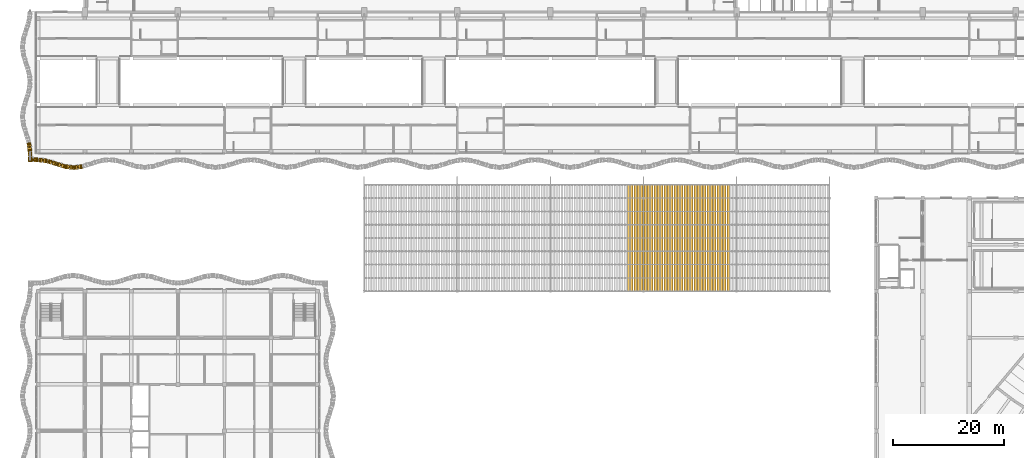
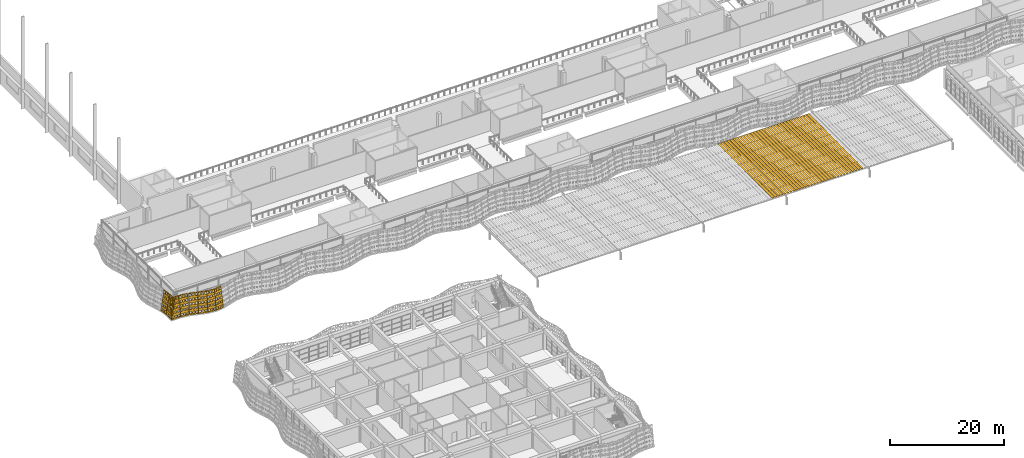
# One storey, part 129 of 162: 31 shading devices, 8 coverings.
"""IFC4 building model written with IfcOpenShell, lengths in metres."""

from ifc_helpers import new_model, si_unit, direction, frame, origin, origin_2d, place, context, subcontext, project, spatial, polyline, rectangle, outline, extrude, material, layer, layer_set, type_object, element, save


model = new_model("IFC4")

# Units and contexts
model_context = context("Model", 3, precision=1e-05, world=origin(), true_north=direction((0.0, 1.0)))
body_context = subcontext(model_context, "Body", "Model", "MODEL_VIEW")
ifc_project = project(units=[si_unit("LENGTHUNIT", "METRE"), si_unit("AREAUNIT", "SQUARE_METRE"), si_unit("VOLUMEUNIT", "CUBIC_METRE"), si_unit("PLANEANGLEUNIT", "RADIAN"), si_unit("MASSUNIT", "GRAM", prefix="KILO")], contexts=[model_context])

# Site, building, storey
site_placement = place(None, origin())
site = spatial("IfcSite", under=ifc_project, at=site_placement, CompositionType="ELEMENT")
building_placement = place(site_placement, origin())
building = spatial("IfcBuilding", under=site, at=building_placement, Name="Rain Tree Exposition and Congress Centre", CompositionType="ELEMENT")
storey_placement = place(building_placement, frame((0.0, 0.0, 6.0)))
storey = spatial("IfcBuildingStorey", under=building, at=storey_placement, Name="L01", CompositionType="ELEMENT", Elevation=6.0)

# Shading devices
ifc_material_1 = material(Name="Terracotta", Category="masonry")
ifc_layer_1 = layer(ifc_material_1, 0.050048828125)
ifc_layer_set_1 = layer_set([ifc_layer_1], Name="Terracotta")
shading_device_type = type_object("IfcShadingDeviceType", Name="Terracotta louvre blade 450x50", PredefinedType="JALOUSIE", material=ifc_layer_set_1)
for number, where, z_axis, x_axis, name in (
    (1, (106.5, 60.0, 2.35009765625), (0.0, 0.0, 1.0), (1.0, 0.0, 0.0), "Canopy louvre 080"),
    (2, (107.10009765625, 60.0, 2.35009765625), (0.0, 0.0, 1.0), (1.0, 0.0, 0.0), "Canopy louvre 081"),
    (3, (107.699951171875, 60.0, 2.35009765625), (0.0, 0.0, 1.0), (1.0, 0.0, 0.0), "Canopy louvre 082"),
    (4, (108.300048828125, 60.0, 2.35009765625), (0.0, 0.0, 1.0), (1.0, 0.0, 0.0), "Canopy louvre 083"),
    (5, (108.89990234375, 60.0, 2.35009765625), (0.0, 0.0, 1.0), (1.0, 0.0, 0.0), "Canopy louvre 084"),
    (6, (109.5, 60.0, 2.35009765625), (0.0, 0.0, 1.0), (1.0, 0.0, 0.0), "Canopy louvre 085"),
    (7, (110.10009765625, 60.0, 2.35009765625), (0.0, 0.0, 1.0), (1.0, 0.0, 0.0), "Canopy louvre 086"),
    (8, (110.699951171875, 60.0, 2.35009765625), (0.0, 0.0, 1.0), (1.0, 0.0, 0.0), "Canopy louvre 087"),
    (9, (111.300048828125, 60.0, 2.35009765625), (0.0, 0.0, 1.0), (1.0, 0.0, 0.0), "Canopy louvre 088"),
    (10, (111.89990234375, 60.0, 2.35009765625), (0.0, 0.0, 1.0), (1.0, 0.0, 0.0), "Canopy louvre 089"),
    (11, (112.5, 60.0, 2.35009765625), (0.0, 0.0, 1.0), (1.0, 0.0, 0.0), "Canopy louvre 090"),
    (12, (113.10009765625, 60.0, 2.35009765625), (0.0, 0.0, 1.0), (1.0, 0.0, 0.0), "Canopy louvre 091"),
    (13, (113.699951171875, 60.0, 2.35009765625), (0.0, 0.0, 1.0), (1.0, 0.0, 0.0), "Canopy louvre 092"),
    (14, (114.300048828125, 60.0, 2.35009765625), (0.0, 0.0, 1.0), (1.0, 0.0, 0.0), "Canopy louvre 093"),
    (15, (114.89990234375, 60.0, 2.35009765625), (0.0, 0.0, 1.0), (1.0, 0.0, 0.0), "Canopy louvre 094"),
    (16, (115.5, 60.0, 2.35009765625), (0.0, 0.0, 1.0), (1.0, 0.0, 0.0), "Canopy louvre 095"),
    (17, (116.10009765625, 60.0, 2.35009765625), (0.0, 0.0, 1.0), (1.0, 0.0, 0.0), "Canopy louvre 096"),
    (18, (116.699951171875, 60.0, 2.35009765625), (0.0, 0.0, 1.0), (1.0, 0.0, 0.0), "Canopy louvre 097"),
    (19, (117.300048828125, 60.0, 2.35009765625), (0.0, 0.0, 1.0), (1.0, 0.0, 0.0), "Canopy louvre 098"),
    (20, (117.89990234375, 60.0, 2.35009765625), (0.0, 0.0, 1.0), (1.0, 0.0, 0.0), "Canopy louvre 099"),
    (21, (118.5, 60.0, 2.35009765625), (0.0, 0.0, 1.0), (1.0, 0.0, 0.0), "Canopy louvre 100"),
    (22, (119.10009765625, 60.0, 2.35009765625), (0.0, 0.0, 1.0), (1.0, 0.0, 0.0), "Canopy louvre 101"),
    (23, (119.699951171875, 60.0, 2.35009765625), (0.0, 0.0, 1.0), (1.0, 0.0, 0.0), "Canopy louvre 102"),
    (24, (120.300048828125, 60.0, 2.35009765625), (0.0, 0.0, 1.0), (1.0, 0.0, 0.0), "Canopy louvre 103"),
    (25, (120.89990234375, 60.0, 2.35009765625), (0.0, 0.0, 1.0), (1.0, 0.0, 0.0), "Canopy louvre 104"),
    (26, (121.5, 60.0, 2.35009765625), (0.0, 0.0, 1.0), (1.0, 0.0, 0.0), "Canopy louvre 105"),
    (27, (122.10009765625, 60.0, 2.35009765625), (0.0, 0.0, 1.0), (1.0, 0.0, 0.0), "Canopy louvre 106"),
    (28, (122.699951171875, 60.0, 2.35009765625), (0.0, 0.0, 1.0), (1.0, 0.0, 0.0), "Canopy louvre 107"),
    (29, (123.300048828125, 60.0, 2.35009765625), (0.0, 0.0, 1.0), (1.0, 0.0, 0.0), "Canopy louvre 108"),
    (30, (123.89990234375, 60.0, 2.35009765625), (0.0, 0.0, 1.0), (1.0, 0.0, 0.0), "Canopy louvre 109"),
    (31, (124.5, 60.0, 2.35009765625), (0.0, 0.0, 1.0), (1.0, 0.0, 0.0), "Canopy louvre 110"),
):
    element("IfcShadingDevice", number, at=place(storey_placement, frame(where, z_axis=z_axis, x_axis=x_axis)), inside=storey, type_object=shading_device_type, Name=name, PredefinedType="JALOUSIE", context=body_context, shape_type="SweptSolid", body=[
        extrude(rectangle(XDim=0.449951171875, YDim=19.199951171875, at=origin_2d()), origin(), (0.0, 0.0, 1.0), 0.050048828125),
    ])

# Coverings
ifc_material_2 = material(Name="Perforated terracotta", Category="masonry")
ifc_layer_2 = layer(ifc_material_2, 0.080078125)
ifc_layer_set_2 = layer_set([ifc_layer_2], Name="Perforated terracotta")
covering_type = type_object("IfcCoveringType", Name="Terracotta screen 80", PredefinedType="CLADDING", material=ifc_layer_set_2)
covering_1_placement = place(storey_placement, frame((0.000244140625, 73.701904296875, 0.01318359375), z_axis=(0.125342414455, 0.978282259159, -0.165085131233), x_axis=(-0.991891686382, 0.127086122318, 0.0)))
element("IfcCovering", 32, at=covering_1_placement, inside=storey, type_object=covering_type, Name="concourse/screen/L01/001", PredefinedType="CLADDING", context=body_context, shape_type="SweptSolid", body=[
    extrude(outline(polyline([(-1.59814453125, 0.0), (-1.59814453125, 4.295166015625), (-0.014892578125, 4.295166015625), (-0.014892578125, 0.0), (-1.59814453125, 0.0)]), holes=[polyline([(-0.115234375, 0.2216796875), (-0.115234375, 0.63720703125), (-0.4423828125, 0.63720703125), (-0.4423828125, 0.2216796875), (-0.115234375, 0.2216796875)]), polyline([(-0.115234375, 1.080810546875), (-0.115234375, 1.496337890625), (-0.4423828125, 1.496337890625), (-0.4423828125, 1.080810546875), (-0.115234375, 1.080810546875)]), polyline([(-0.115234375, 1.939697265625), (-0.115234375, 2.35546875), (-0.4423828125, 2.35546875), (-0.4423828125, 1.939697265625), (-0.115234375, 1.939697265625)]), polyline([(-0.115234375, 2.798583984375), (-0.115234375, 3.21435546875), (-0.4423828125, 3.21435546875), (-0.4423828125, 2.798583984375), (-0.115234375, 2.798583984375)]), polyline([(-0.115234375, 3.65771484375), (-0.115234375, 4.073486328125), (-0.4423828125, 4.073486328125), (-0.4423828125, 3.65771484375), (-0.115234375, 3.65771484375)]), polyline([(-0.64306640625, 0.2216796875), (-0.64306640625, 0.63720703125), (-0.97021484375, 0.63720703125), (-0.97021484375, 0.2216796875), (-0.64306640625, 0.2216796875)]), polyline([(-0.64306640625, 1.080810546875), (-0.64306640625, 1.496337890625), (-0.97021484375, 1.496337890625), (-0.97021484375, 1.080810546875), (-0.64306640625, 1.080810546875)]), polyline([(-0.64306640625, 1.939697265625), (-0.64306640625, 2.35546875), (-0.97021484375, 2.35546875), (-0.97021484375, 1.939697265625), (-0.64306640625, 1.939697265625)]), polyline([(-0.64306640625, 2.798583984375), (-0.64306640625, 3.21435546875), (-0.97021484375, 3.21435546875), (-0.97021484375, 2.798583984375), (-0.64306640625, 2.798583984375)]), polyline([(-0.64306640625, 3.65771484375), (-0.64306640625, 4.073486328125), (-0.97021484375, 4.073486328125), (-0.97021484375, 3.65771484375), (-0.64306640625, 3.65771484375)]), polyline([(-1.170654296875, 0.2216796875), (-1.170654296875, 0.63720703125), (-1.497802734375, 0.63720703125), (-1.497802734375, 0.2216796875), (-1.170654296875, 0.2216796875)]), polyline([(-1.170654296875, 1.080810546875), (-1.170654296875, 1.496337890625), (-1.497802734375, 1.496337890625), (-1.497802734375, 1.080810546875), (-1.170654296875, 1.080810546875)]), polyline([(-1.170654296875, 1.939697265625), (-1.170654296875, 2.35546875), (-1.497802734375, 2.35546875), (-1.497802734375, 1.939697265625), (-1.170654296875, 1.939697265625)]), polyline([(-1.170654296875, 2.798583984375), (-1.170654296875, 3.21435546875), (-1.497802734375, 3.21435546875), (-1.497802734375, 2.798583984375), (-1.170654296875, 2.798583984375)]), polyline([(-1.170654296875, 3.65771484375), (-1.170654296875, 4.073486328125), (-1.497802734375, 4.073486328125), (-1.497802734375, 3.65771484375), (-1.170654296875, 3.65771484375)])]), origin(), (0.0, 0.0, 1.0), 0.079833984375),
])
covering_2_placement = place(storey_placement, frame((1.6005859375, 73.49658203125, 0.0126953125), z_axis=(0.290138898064, 0.943714942124, -0.158812870519), x_axis=(-0.955845867297, 0.293868470528, 0.0)))
element("IfcCovering", 33, at=covering_2_placement, inside=storey, type_object=covering_type, Name="concourse/screen/L01/002", PredefinedType="CLADDING", context=body_context, shape_type="SweptSolid", body=[
    extrude(outline(polyline([(-1.659912109375, 0.0), (-1.659912109375, 4.29150390625), (-0.014892578125, 4.29150390625), (-0.014892578125, 0.0), (-1.659912109375, 0.0)]), holes=[polyline([(-0.119140625, 0.221435546875), (-0.119140625, 0.63671875), (-0.458984375, 0.63671875), (-0.458984375, 0.221435546875), (-0.119140625, 0.221435546875)]), polyline([(-0.119140625, 1.079833984375), (-0.119140625, 1.4951171875), (-0.458984375, 1.4951171875), (-0.458984375, 1.079833984375), (-0.119140625, 1.079833984375)]), polyline([(-0.119140625, 1.93798828125), (-0.119140625, 2.353271484375), (-0.458984375, 2.353271484375), (-0.458984375, 1.93798828125), (-0.119140625, 1.93798828125)]), polyline([(-0.119140625, 2.79638671875), (-0.119140625, 3.211669921875), (-0.458984375, 3.211669921875), (-0.458984375, 2.79638671875), (-0.119140625, 2.79638671875)]), polyline([(-0.119140625, 3.654541015625), (-0.119140625, 4.06982421875), (-0.458984375, 4.06982421875), (-0.458984375, 3.654541015625), (-0.119140625, 3.654541015625)]), polyline([(-0.66748046875, 0.221435546875), (-0.66748046875, 0.63671875), (-1.00732421875, 0.63671875), (-1.00732421875, 0.221435546875), (-0.66748046875, 0.221435546875)]), polyline([(-0.66748046875, 1.079833984375), (-0.66748046875, 1.4951171875), (-1.00732421875, 1.4951171875), (-1.00732421875, 1.079833984375), (-0.66748046875, 1.079833984375)]), polyline([(-0.66748046875, 1.93798828125), (-0.66748046875, 2.353271484375), (-1.00732421875, 2.353271484375), (-1.00732421875, 1.93798828125), (-0.66748046875, 1.93798828125)]), polyline([(-0.66748046875, 2.79638671875), (-0.66748046875, 3.211669921875), (-1.00732421875, 3.211669921875), (-1.00732421875, 2.79638671875), (-0.66748046875, 2.79638671875)]), polyline([(-0.66748046875, 3.654541015625), (-0.66748046875, 4.06982421875), (-1.00732421875, 4.06982421875), (-1.00732421875, 3.654541015625), (-0.66748046875, 3.654541015625)]), polyline([(-1.2158203125, 0.221435546875), (-1.2158203125, 0.63671875), (-1.5556640625, 0.63671875), (-1.5556640625, 0.221435546875), (-1.2158203125, 0.221435546875)]), polyline([(-1.2158203125, 1.079833984375), (-1.2158203125, 1.4951171875), (-1.5556640625, 1.4951171875), (-1.5556640625, 1.079833984375), (-1.2158203125, 1.079833984375)]), polyline([(-1.2158203125, 1.93798828125), (-1.2158203125, 2.353271484375), (-1.5556640625, 2.353271484375), (-1.5556640625, 1.93798828125), (-1.2158203125, 1.93798828125)]), polyline([(-1.2158203125, 2.79638671875), (-1.2158203125, 3.211669921875), (-1.5556640625, 3.211669921875), (-1.5556640625, 2.79638671875), (-1.2158203125, 2.79638671875)]), polyline([(-1.2158203125, 3.654541015625), (-1.2158203125, 4.06982421875), (-1.5556640625, 4.06982421875), (-1.5556640625, 3.654541015625), (-1.2158203125, 3.654541015625)])]), origin(), (0.0, 0.0, 1.0), 0.079833984375),
])
covering_3_placement = place(storey_placement, frame((3.20068359375, 73.001708984375, 0.0126953125), z_axis=(0.290138898064, 0.943714942124, -0.158812870519), x_axis=(-0.955845867297, 0.293868470528, 0.0)))
element("IfcCovering", 34, at=covering_3_placement, inside=storey, type_object=covering_type, Name="concourse/screen/L01/003", PredefinedType="CLADDING", context=body_context, shape_type="SweptSolid", body=[
    extrude(outline(polyline([(-1.65283203125, 0.0), (-1.65283203125, 4.29150390625), (-0.014892578125, 4.29150390625), (-0.014892578125, 0.0), (-1.65283203125, 0.0)]), holes=[polyline([(-0.11865234375, 0.221435546875), (-0.11865234375, 0.63671875), (-0.457275390625, 0.63671875), (-0.457275390625, 0.221435546875), (-0.11865234375, 0.221435546875)]), polyline([(-0.11865234375, 1.079833984375), (-0.11865234375, 1.4951171875), (-0.457275390625, 1.4951171875), (-0.457275390625, 1.079833984375), (-0.11865234375, 1.079833984375)]), polyline([(-0.11865234375, 1.93798828125), (-0.11865234375, 2.353271484375), (-0.457275390625, 2.353271484375), (-0.457275390625, 1.93798828125), (-0.11865234375, 1.93798828125)]), polyline([(-0.11865234375, 2.79638671875), (-0.11865234375, 3.211669921875), (-0.457275390625, 3.211669921875), (-0.457275390625, 2.79638671875), (-0.11865234375, 2.79638671875)]), polyline([(-0.11865234375, 3.654541015625), (-0.11865234375, 4.06982421875), (-0.457275390625, 4.06982421875), (-0.457275390625, 3.654541015625), (-0.11865234375, 3.654541015625)]), polyline([(-0.664794921875, 0.221435546875), (-0.664794921875, 0.63671875), (-1.003173828125, 0.63671875), (-1.003173828125, 0.221435546875), (-0.664794921875, 0.221435546875)]), polyline([(-0.664794921875, 1.079833984375), (-0.664794921875, 1.4951171875), (-1.003173828125, 1.4951171875), (-1.003173828125, 1.079833984375), (-0.664794921875, 1.079833984375)]), polyline([(-0.664794921875, 1.93798828125), (-0.664794921875, 2.353271484375), (-1.003173828125, 2.353271484375), (-1.003173828125, 1.93798828125), (-0.664794921875, 1.93798828125)]), polyline([(-0.664794921875, 2.79638671875), (-0.664794921875, 3.211669921875), (-1.003173828125, 3.211669921875), (-1.003173828125, 2.79638671875), (-0.664794921875, 2.79638671875)]), polyline([(-0.664794921875, 3.654541015625), (-0.664794921875, 4.06982421875), (-1.003173828125, 4.06982421875), (-1.003173828125, 3.654541015625), (-0.664794921875, 3.654541015625)]), polyline([(-1.210693359375, 0.221435546875), (-1.210693359375, 0.63671875), (-1.54931640625, 0.63671875), (-1.54931640625, 0.221435546875), (-1.210693359375, 0.221435546875)]), polyline([(-1.210693359375, 1.079833984375), (-1.210693359375, 1.4951171875), (-1.54931640625, 1.4951171875), (-1.54931640625, 1.079833984375), (-1.210693359375, 1.079833984375)]), polyline([(-1.210693359375, 1.93798828125), (-1.210693359375, 2.353271484375), (-1.54931640625, 2.353271484375), (-1.54931640625, 1.93798828125), (-1.210693359375, 1.93798828125)]), polyline([(-1.210693359375, 2.79638671875), (-1.210693359375, 3.211669921875), (-1.54931640625, 3.211669921875), (-1.54931640625, 2.79638671875), (-1.210693359375, 2.79638671875)]), polyline([(-1.210693359375, 3.654541015625), (-1.210693359375, 4.06982421875), (-1.54931640625, 4.06982421875), (-1.54931640625, 3.654541015625), (-1.210693359375, 3.654541015625)])]), origin(), (0.0, 0.0, 1.0), 0.079833984375),
])
covering_4_placement = place(storey_placement, frame((4.80029296875, 72.5068359375, 0.01318359375), z_axis=(0.124968640969, 0.978413018317, -0.164592844203), x_axis=(-0.991941518713, 0.126696580272, 0.0)))
element("IfcCovering", 35, at=covering_4_placement, inside=storey, type_object=covering_type, Name="concourse/screen/L01/004", PredefinedType="CLADDING", context=body_context, shape_type="SweptSolid", body=[
    extrude(outline(polyline([(-1.587890625, 0.0), (-1.587890625, 4.295166015625), (-0.02197265625, 4.295166015625), (-0.02197265625, 0.0), (-1.587890625, 0.0)]), holes=[polyline([(-0.12109375, 0.2216796875), (-0.12109375, 0.63720703125), (-0.444580078125, 0.63720703125), (-0.444580078125, 0.2216796875), (-0.12109375, 0.2216796875)]), polyline([(-0.12109375, 1.080810546875), (-0.12109375, 1.496337890625), (-0.444580078125, 1.496337890625), (-0.444580078125, 1.080810546875), (-0.12109375, 1.080810546875)]), polyline([(-0.12109375, 1.939697265625), (-0.12109375, 2.35546875), (-0.444580078125, 2.35546875), (-0.444580078125, 1.939697265625), (-0.12109375, 1.939697265625)]), polyline([(-0.12109375, 2.798583984375), (-0.12109375, 3.21435546875), (-0.444580078125, 3.21435546875), (-0.444580078125, 2.798583984375), (-0.12109375, 2.798583984375)]), polyline([(-0.12109375, 3.65771484375), (-0.12109375, 4.073486328125), (-0.444580078125, 4.073486328125), (-0.444580078125, 3.65771484375), (-0.12109375, 3.65771484375)]), polyline([(-0.64306640625, 0.2216796875), (-0.64306640625, 0.63720703125), (-0.966796875, 0.63720703125), (-0.966796875, 0.2216796875), (-0.64306640625, 0.2216796875)]), polyline([(-0.64306640625, 1.080810546875), (-0.64306640625, 1.496337890625), (-0.966796875, 1.496337890625), (-0.966796875, 1.080810546875), (-0.64306640625, 1.080810546875)]), polyline([(-0.64306640625, 1.939697265625), (-0.64306640625, 2.35546875), (-0.966796875, 2.35546875), (-0.966796875, 1.939697265625), (-0.64306640625, 1.939697265625)]), polyline([(-0.64306640625, 2.798583984375), (-0.64306640625, 3.21435546875), (-0.966796875, 3.21435546875), (-0.966796875, 2.798583984375), (-0.64306640625, 2.798583984375)]), polyline([(-0.64306640625, 3.65771484375), (-0.64306640625, 4.073486328125), (-0.966796875, 4.073486328125), (-0.966796875, 3.65771484375), (-0.64306640625, 3.65771484375)]), polyline([(-1.1650390625, 0.2216796875), (-1.1650390625, 0.63720703125), (-1.48876953125, 0.63720703125), (-1.48876953125, 0.2216796875), (-1.1650390625, 0.2216796875)]), polyline([(-1.1650390625, 1.080810546875), (-1.1650390625, 1.496337890625), (-1.48876953125, 1.496337890625), (-1.48876953125, 1.080810546875), (-1.1650390625, 1.080810546875)]), polyline([(-1.1650390625, 1.939697265625), (-1.1650390625, 2.35546875), (-1.48876953125, 2.35546875), (-1.48876953125, 1.939697265625), (-1.1650390625, 1.939697265625)]), polyline([(-1.1650390625, 2.798583984375), (-1.1650390625, 3.21435546875), (-1.48876953125, 3.21435546875), (-1.48876953125, 2.798583984375), (-1.1650390625, 2.798583984375)]), polyline([(-1.1650390625, 3.65771484375), (-1.1650390625, 4.073486328125), (-1.48876953125, 4.073486328125), (-1.48876953125, 3.65771484375), (-1.1650390625, 3.65771484375)])]), origin(), (0.0, 0.0, 1.0), 0.080078125),
])
covering_5_placement = place(storey_placement, frame((6.399658203125, 72.302001953125, 0.01318359375), z_axis=(-0.125342414455, 0.978282259159, -0.165085131233), x_axis=(-0.991891686382, -0.127086122318, 0.0)))
element("IfcCovering", 36, at=covering_5_placement, inside=storey, type_object=covering_type, Name="concourse/screen/L01/005", PredefinedType="CLADDING", context=body_context, shape_type="SweptSolid", body=[
    extrude(outline(polyline([(-1.59130859375, 0.0), (-1.59130859375, 4.295166015625), (-0.025146484375, 4.295166015625), (-0.025146484375, 0.0), (-1.59130859375, 0.0)]), holes=[polyline([(-0.12451171875, 0.2216796875), (-0.12451171875, 0.63720703125), (-0.447998046875, 0.63720703125), (-0.447998046875, 0.2216796875), (-0.12451171875, 0.2216796875)]), polyline([(-0.12451171875, 1.080810546875), (-0.12451171875, 1.496337890625), (-0.447998046875, 1.496337890625), (-0.447998046875, 1.080810546875), (-0.12451171875, 1.080810546875)]), polyline([(-0.12451171875, 1.939697265625), (-0.12451171875, 2.35546875), (-0.447998046875, 2.35546875), (-0.447998046875, 1.939697265625), (-0.12451171875, 1.939697265625)]), polyline([(-0.12451171875, 2.798583984375), (-0.12451171875, 3.21435546875), (-0.447998046875, 3.21435546875), (-0.447998046875, 2.798583984375), (-0.12451171875, 2.798583984375)]), polyline([(-0.12451171875, 3.65771484375), (-0.12451171875, 4.073486328125), (-0.447998046875, 4.073486328125), (-0.447998046875, 3.65771484375), (-0.12451171875, 3.65771484375)]), polyline([(-0.646484375, 0.2216796875), (-0.646484375, 0.63720703125), (-0.969970703125, 0.63720703125), (-0.969970703125, 0.2216796875), (-0.646484375, 0.2216796875)]), polyline([(-0.646484375, 1.080810546875), (-0.646484375, 1.496337890625), (-0.969970703125, 1.496337890625), (-0.969970703125, 1.080810546875), (-0.646484375, 1.080810546875)]), polyline([(-0.646484375, 1.939697265625), (-0.646484375, 2.35546875), (-0.969970703125, 2.35546875), (-0.969970703125, 1.939697265625), (-0.646484375, 1.939697265625)]), polyline([(-0.646484375, 2.798583984375), (-0.646484375, 3.21435546875), (-0.969970703125, 3.21435546875), (-0.969970703125, 2.798583984375), (-0.646484375, 2.798583984375)]), polyline([(-0.646484375, 3.65771484375), (-0.646484375, 4.073486328125), (-0.969970703125, 4.073486328125), (-0.969970703125, 3.65771484375), (-0.646484375, 3.65771484375)]), polyline([(-1.16845703125, 0.2216796875), (-1.16845703125, 0.63720703125), (-1.491943359375, 0.63720703125), (-1.491943359375, 0.2216796875), (-1.16845703125, 0.2216796875)]), polyline([(-1.16845703125, 1.080810546875), (-1.16845703125, 1.496337890625), (-1.491943359375, 1.496337890625), (-1.491943359375, 1.080810546875), (-1.16845703125, 1.080810546875)]), polyline([(-1.16845703125, 1.939697265625), (-1.16845703125, 2.35546875), (-1.491943359375, 2.35546875), (-1.491943359375, 1.939697265625), (-1.16845703125, 1.939697265625)]), polyline([(-1.16845703125, 2.798583984375), (-1.16845703125, 3.21435546875), (-1.491943359375, 3.21435546875), (-1.491943359375, 2.798583984375), (-1.16845703125, 2.798583984375)]), polyline([(-1.16845703125, 3.65771484375), (-1.16845703125, 4.073486328125), (-1.491943359375, 4.073486328125), (-1.491943359375, 3.65771484375), (-1.16845703125, 3.65771484375)])]), origin(), (0.0, 0.0, 1.0), 0.079833984375),
])
covering_6_placement = place(storey_placement, frame((-2.10302734375, 77.17529296875, 0.01318359375), z_axis=(0.9779030419, 0.128349774249, -0.165021138321), x_axis=(-0.130133906157, 0.991496427865, 0.0)))
element("IfcCovering", 37, at=covering_6_placement, inside=storey, type_object=covering_type, Name="concourse/screen/L01/207", PredefinedType="CLADDING", context=body_context, shape_type="SweptSolid", body=[
    extrude(outline(polyline([(-1.5732421875, 0.0), (-1.5732421875, 4.295166015625), (-0.014892578125, 4.295166015625), (-0.014892578125, 0.0), (-1.5732421875, 0.0)]), holes=[polyline([(-0.11376953125, 0.2216796875), (-0.11376953125, 0.63720703125), (-0.435791015625, 0.63720703125), (-0.435791015625, 0.2216796875), (-0.11376953125, 0.2216796875)]), polyline([(-0.11376953125, 1.080810546875), (-0.11376953125, 1.496337890625), (-0.435791015625, 1.496337890625), (-0.435791015625, 1.080810546875), (-0.11376953125, 1.080810546875)]), polyline([(-0.11376953125, 1.939697265625), (-0.11376953125, 2.35546875), (-0.435791015625, 2.35546875), (-0.435791015625, 1.939697265625), (-0.11376953125, 1.939697265625)]), polyline([(-0.11376953125, 2.798583984375), (-0.11376953125, 3.21435546875), (-0.435791015625, 3.21435546875), (-0.435791015625, 2.798583984375), (-0.11376953125, 2.798583984375)]), polyline([(-0.11376953125, 3.65771484375), (-0.11376953125, 4.073486328125), (-0.435791015625, 4.073486328125), (-0.435791015625, 3.65771484375), (-0.11376953125, 3.65771484375)]), polyline([(-0.633056640625, 0.2216796875), (-0.633056640625, 0.63720703125), (-0.955078125, 0.63720703125), (-0.955078125, 0.2216796875), (-0.633056640625, 0.2216796875)]), polyline([(-0.633056640625, 1.080810546875), (-0.633056640625, 1.496337890625), (-0.955078125, 1.496337890625), (-0.955078125, 1.080810546875), (-0.633056640625, 1.080810546875)]), polyline([(-0.633056640625, 1.939697265625), (-0.633056640625, 2.35546875), (-0.955078125, 2.35546875), (-0.955078125, 1.939697265625), (-0.633056640625, 1.939697265625)]), polyline([(-0.633056640625, 2.798583984375), (-0.633056640625, 3.21435546875), (-0.955078125, 3.21435546875), (-0.955078125, 2.798583984375), (-0.633056640625, 2.798583984375)]), polyline([(-0.633056640625, 3.65771484375), (-0.633056640625, 4.073486328125), (-0.955078125, 4.073486328125), (-0.955078125, 3.65771484375), (-0.633056640625, 3.65771484375)]), polyline([(-1.152587890625, 0.2216796875), (-1.152587890625, 0.63720703125), (-1.474609375, 0.63720703125), (-1.474609375, 0.2216796875), (-1.152587890625, 0.2216796875)]), polyline([(-1.152587890625, 1.080810546875), (-1.152587890625, 1.496337890625), (-1.474609375, 1.496337890625), (-1.474609375, 1.080810546875), (-1.152587890625, 1.080810546875)]), polyline([(-1.152587890625, 1.939697265625), (-1.152587890625, 2.35546875), (-1.474609375, 2.35546875), (-1.474609375, 1.939697265625), (-1.152587890625, 1.939697265625)]), polyline([(-1.152587890625, 2.798583984375), (-1.152587890625, 3.21435546875), (-1.474609375, 3.21435546875), (-1.474609375, 2.798583984375), (-1.152587890625, 2.798583984375)]), polyline([(-1.152587890625, 3.65771484375), (-1.152587890625, 4.073486328125), (-1.474609375, 4.073486328125), (-1.474609375, 3.65771484375), (-1.152587890625, 3.65771484375)])]), origin(), (0.0, 0.0, 1.0), 0.079833984375),
])
covering_7_placement = place(storey_placement, frame((-1.898193359375, 75.60009765625, 0.01318359375), z_axis=(0.986393923832, 0.0, -0.164398987305), x_axis=(0.0, 1.0, 0.0)))
element("IfcCovering", 38, at=covering_7_placement, inside=storey, type_object=covering_type, Name="concourse/screen/L01/208", PredefinedType="CLADDING", context=body_context, shape_type="SweptSolid", body=[
    extrude(outline(polyline([(-1.805419921875, 0.0), (-1.805419921875, 4.2958984375), (-0.014892578125, 4.2958984375), (-0.014892578125, 0.0), (-1.805419921875, 0.0)]), holes=[polyline([(-0.12841796875, 0.2216796875), (-0.12841796875, 0.637451171875), (-0.498291015625, 0.637451171875), (-0.498291015625, 0.2216796875), (-0.12841796875, 0.2216796875)]), polyline([(-0.12841796875, 1.080810546875), (-0.12841796875, 1.49658203125), (-0.498291015625, 1.49658203125), (-0.498291015625, 1.080810546875), (-0.12841796875, 1.080810546875)]), polyline([(-0.12841796875, 1.940185546875), (-0.12841796875, 2.355712890625), (-0.498291015625, 2.355712890625), (-0.498291015625, 1.940185546875), (-0.12841796875, 1.940185546875)]), polyline([(-0.12841796875, 2.79931640625), (-0.12841796875, 3.215087890625), (-0.498291015625, 3.215087890625), (-0.498291015625, 2.79931640625), (-0.12841796875, 2.79931640625)]), polyline([(-0.12841796875, 3.658447265625), (-0.12841796875, 4.07421875), (-0.498291015625, 4.07421875), (-0.498291015625, 3.658447265625), (-0.12841796875, 3.658447265625)]), polyline([(-0.72509765625, 0.2216796875), (-0.72509765625, 0.637451171875), (-1.09521484375, 0.637451171875), (-1.09521484375, 0.2216796875), (-0.72509765625, 0.2216796875)]), polyline([(-0.72509765625, 1.080810546875), (-0.72509765625, 1.49658203125), (-1.09521484375, 1.49658203125), (-1.09521484375, 1.080810546875), (-0.72509765625, 1.080810546875)]), polyline([(-0.72509765625, 1.940185546875), (-0.72509765625, 2.355712890625), (-1.09521484375, 2.355712890625), (-1.09521484375, 1.940185546875), (-0.72509765625, 1.940185546875)]), polyline([(-0.72509765625, 2.79931640625), (-0.72509765625, 3.215087890625), (-1.09521484375, 3.215087890625), (-1.09521484375, 2.79931640625), (-0.72509765625, 2.79931640625)]), polyline([(-0.72509765625, 3.658447265625), (-0.72509765625, 4.07421875), (-1.09521484375, 4.07421875), (-1.09521484375, 3.658447265625), (-0.72509765625, 3.658447265625)]), polyline([(-1.322021484375, 0.2216796875), (-1.322021484375, 0.637451171875), (-1.69189453125, 0.637451171875), (-1.69189453125, 0.2216796875), (-1.322021484375, 0.2216796875)]), polyline([(-1.322021484375, 1.080810546875), (-1.322021484375, 1.49658203125), (-1.69189453125, 1.49658203125), (-1.69189453125, 1.080810546875), (-1.322021484375, 1.080810546875)]), polyline([(-1.322021484375, 1.940185546875), (-1.322021484375, 2.355712890625), (-1.69189453125, 2.355712890625), (-1.69189453125, 1.940185546875), (-1.322021484375, 1.940185546875)]), polyline([(-1.322021484375, 2.79931640625), (-1.322021484375, 3.215087890625), (-1.69189453125, 3.215087890625), (-1.69189453125, 2.79931640625), (-1.322021484375, 2.79931640625)]), polyline([(-1.322021484375, 3.658447265625), (-1.322021484375, 4.07421875), (-1.69189453125, 4.07421875), (-1.69189453125, 3.658447265625), (-1.322021484375, 3.658447265625)])]), origin(), (0.0, 0.0, 1.0), 0.080078125),
])
covering_8_placement = place(storey_placement, frame((-1.900390625, 73.701904296875, 0.01318359375), z_axis=(0.0, 0.986311269939, -0.1648941442), x_axis=(-1.0, 0.0, 0.0)))
element("IfcCovering", 39, at=covering_8_placement, inside=storey, type_object=covering_type, Name="concourse/screen/L01/209", PredefinedType="CLADDING", context=body_context, shape_type="SweptSolid", body=[
    extrude(outline(polyline([(-1.88525390625, 0.0), (-1.88525390625, 4.2958984375), (-0.094970703125, 4.2958984375), (-0.094970703125, 0.0), (-1.88525390625, 0.0)]), holes=[polyline([(-0.20849609375, 0.2216796875), (-0.20849609375, 0.637451171875), (-0.578369140625, 0.637451171875), (-0.578369140625, 0.2216796875), (-0.20849609375, 0.2216796875)]), polyline([(-0.20849609375, 1.080810546875), (-0.20849609375, 1.49658203125), (-0.578369140625, 1.49658203125), (-0.578369140625, 1.080810546875), (-0.20849609375, 1.080810546875)]), polyline([(-0.20849609375, 1.940185546875), (-0.20849609375, 2.355712890625), (-0.578369140625, 2.355712890625), (-0.578369140625, 1.940185546875), (-0.20849609375, 1.940185546875)]), polyline([(-0.20849609375, 2.79931640625), (-0.20849609375, 3.215087890625), (-0.578369140625, 3.215087890625), (-0.578369140625, 2.79931640625), (-0.20849609375, 2.79931640625)]), polyline([(-0.20849609375, 3.658447265625), (-0.20849609375, 4.07421875), (-0.578369140625, 4.07421875), (-0.578369140625, 3.658447265625), (-0.20849609375, 3.658447265625)]), polyline([(-0.80517578125, 0.2216796875), (-0.80517578125, 0.637451171875), (-1.175048828125, 0.637451171875), (-1.175048828125, 0.2216796875), (-0.80517578125, 0.2216796875)]), polyline([(-0.80517578125, 1.080810546875), (-0.80517578125, 1.49658203125), (-1.175048828125, 1.49658203125), (-1.175048828125, 1.080810546875), (-0.80517578125, 1.080810546875)]), polyline([(-0.80517578125, 1.940185546875), (-0.80517578125, 2.355712890625), (-1.175048828125, 2.355712890625), (-1.175048828125, 1.940185546875), (-0.80517578125, 1.940185546875)]), polyline([(-0.80517578125, 2.79931640625), (-0.80517578125, 3.215087890625), (-1.175048828125, 3.215087890625), (-1.175048828125, 2.79931640625), (-0.80517578125, 2.79931640625)]), polyline([(-0.80517578125, 3.658447265625), (-0.80517578125, 4.07421875), (-1.175048828125, 4.07421875), (-1.175048828125, 3.658447265625), (-0.80517578125, 3.658447265625)]), polyline([(-1.40185546875, 0.2216796875), (-1.40185546875, 0.637451171875), (-1.77197265625, 0.637451171875), (-1.77197265625, 0.2216796875), (-1.40185546875, 0.2216796875)]), polyline([(-1.40185546875, 1.080810546875), (-1.40185546875, 1.49658203125), (-1.77197265625, 1.49658203125), (-1.77197265625, 1.080810546875), (-1.40185546875, 1.080810546875)]), polyline([(-1.40185546875, 1.940185546875), (-1.40185546875, 2.355712890625), (-1.77197265625, 2.355712890625), (-1.77197265625, 1.940185546875), (-1.40185546875, 1.940185546875)]), polyline([(-1.40185546875, 2.79931640625), (-1.40185546875, 3.215087890625), (-1.77197265625, 3.215087890625), (-1.77197265625, 2.79931640625), (-1.40185546875, 2.79931640625)]), polyline([(-1.40185546875, 3.658447265625), (-1.40185546875, 4.07421875), (-1.77197265625, 4.07421875), (-1.77197265625, 3.658447265625), (-1.40185546875, 3.658447265625)])]), origin(), (0.0, 0.0, 1.0), 0.079833984375),
])

save(model, "model.ifc")
